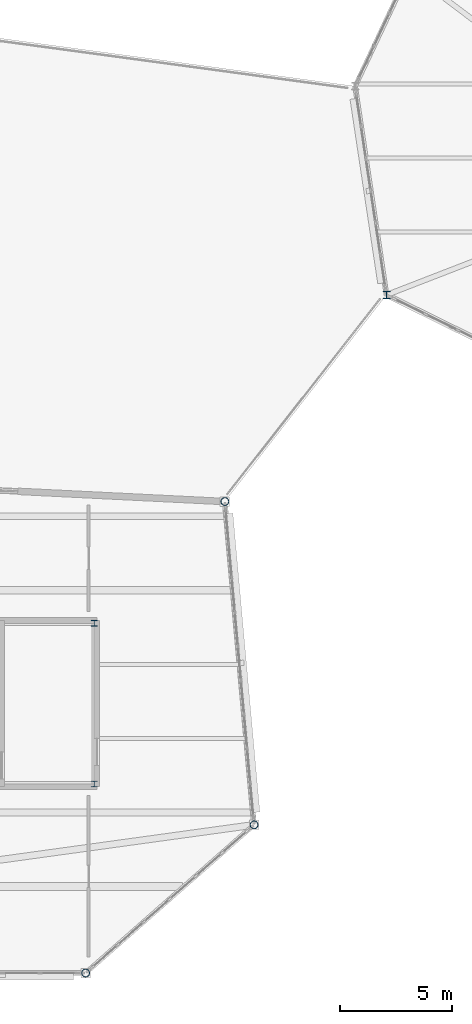
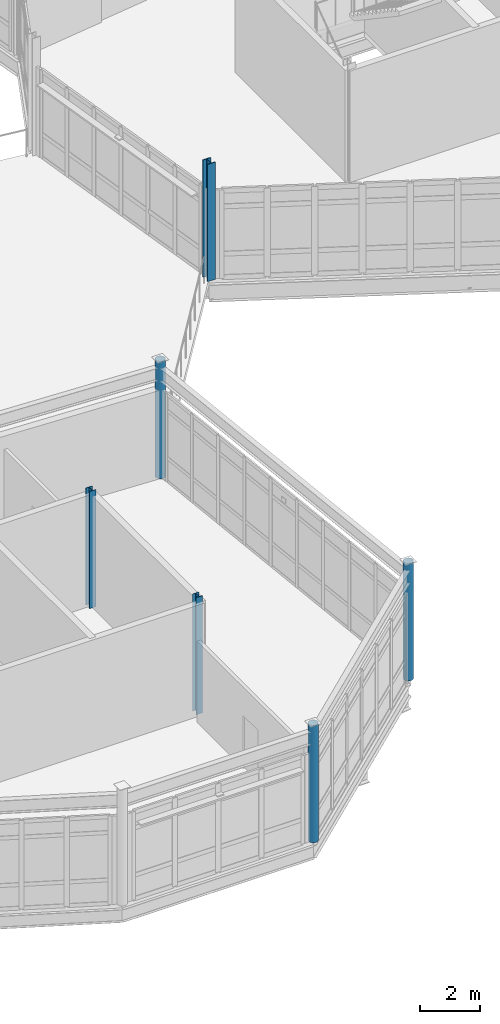
# One storey, part 3 of 114: 6 columns.
"""IFC4 building model written with IfcOpenShell, lengths in metres."""

from ifc_helpers import new_model, si_unit, direction, frame, origin, origin_2d, place, context, subcontext, project, spatial, hollow_circle, i_section, extrude, material, material_profile, profile_set, type_object, element, save


model = new_model("IFC4")

# Units and contexts
model_context = context("Model", 3, precision=1e-05, world=origin(), true_north=direction((0.0, 1.0)))
body_context = subcontext(model_context, "Body", "Model", "MODEL_VIEW")
ifc_project = project(units=[si_unit("LENGTHUNIT", "METRE"), si_unit("AREAUNIT", "SQUARE_METRE"), si_unit("VOLUMEUNIT", "CUBIC_METRE"), si_unit("PLANEANGLEUNIT", "RADIAN"), si_unit("MASSUNIT", "GRAM", prefix="KILO")], contexts=[model_context])

# Site, building, storey
site_placement = place(None, origin())
site = spatial("IfcSite", under=ifc_project, at=site_placement, CompositionType="ELEMENT")
building_placement = place(site_placement, origin())
building = spatial("IfcBuilding", under=site, at=building_placement, Name="Tameran Prism Museum", CompositionType="ELEMENT")
storey_placement = place(building_placement, frame((0.0, 0.0, 10.199951171875)))
storey = spatial("IfcBuildingStorey", under=building, at=storey_placement, Name="L02", CompositionType="ELEMENT", Elevation=10.199951171875)

# Columns
ifc_material_1 = material(Name="Steel Grade C350L0 (350 MPa)", Category="steel")
ifc_material_profile_1 = material_profile(ifc_material_1, hollow_circle(Radius=0.177734375, WallThickness=0.0126953125, at=origin_2d()))
ifc_profile_set_1 = profile_set([ifc_material_profile_1])
column_type_1 = type_object("IfcColumnType", Name="COL-CHS355", PredefinedType="COLUMN", material=ifc_profile_set_1)
for number, where, z_axis, x_axis, name in (
    (1, (37.60009765625, 0.0, 0.0), (0.0, 0.0, 1.0), (1.0, 0.0, 0.0), "Column CV-21 L02"),
    (2, (43.800048828125, 21.0, 0.0), (0.0, 0.0, 1.0), (1.0, 0.0, 0.0), "Column CV-23 L02"),
    (3, (45.10009765625, 6.60009765625, 0.0), (0.0, 0.0, 1.0), (1.0, 0.0, 0.0), "Column CV-24 L02"),
):
    element("IfcColumn", number, at=place(storey_placement, frame(where, z_axis=z_axis, x_axis=x_axis)), inside=storey, type_object=column_type_1, Name=name, PredefinedType="COLUMN", context=body_context, shape_type="SweptSolid", body=[
        extrude(hollow_circle(Radius=0.177734375, WallThickness=0.0126953125, at=origin_2d()), origin(), (0.0, 0.0, 1.0), 4.800048828125),
    ])
ifc_material_2 = material(Name="Steel Grade 300PLUS (300 MPa)", Category="steel")
ifc_material_profile_2 = material_profile(ifc_material_2, i_section(OverallWidth=0.25390625, OverallDepth=0.25390625, WebThickness=0.008544921875, FlangeThickness=0.01416015625, FilletRadius=0.0126953125, at=origin_2d()))
ifc_profile_set_2 = profile_set([ifc_material_profile_2])
column_type_2 = type_object("IfcColumnType", Name="COL-UC250B", PredefinedType="COLUMN", material=ifc_profile_set_2)
for number, where, z_axis, x_axis, name in (
    (4, (37.97998046875, 8.419921875, 0.0), (0.0, 0.0, 1.0), (1.0, 0.0, 0.0), "Column CC-6-2 L02"),
    (5, (37.97998046875, 15.580078125, 0.0), (0.0, 0.0, 1.0), (1.0, 0.0, 0.0), "Column CC-6-3 L02"),
):
    element("IfcColumn", number, at=place(storey_placement, frame(where, z_axis=z_axis, x_axis=x_axis)), inside=storey, type_object=column_type_2, Name=name, PredefinedType="COLUMN", context=body_context, shape_type="SweptSolid", body=[
        extrude(i_section(OverallWidth=0.25390625, OverallDepth=0.25390625, WebThickness=0.008544921875, FlangeThickness=0.01416015625, FilletRadius=0.0126953125, at=origin_2d()), origin(), (0.0, 0.0, 1.0), 4.800048828125),
    ])
ifc_material_3 = material(Name="Steel Grade 350 (350 MPa)", Category="steel")
ifc_material_profile_3 = material_profile(ifc_material_3, i_section(OverallWidth=0.31103515625, OverallDepth=0.326904296875, WebThickness=0.015625, FlangeThickness=0.02490234375, FilletRadius=0.0166015625, at=origin_2d()))
ifc_profile_set_3 = profile_set([ifc_material_profile_3])
column_type_3 = type_object("IfcColumnType", Name="COL-UC310A", PredefinedType="COLUMN", material=ifc_profile_set_3)
column_placement = place(storey_placement, frame((51.0, 30.199951171875, 0.0), z_axis=(0.0, 0.0, 1.0), x_axis=(1.0, 0.0, 0.0)))
element("IfcColumn", 6, at=column_placement, inside=storey, type_object=column_type_3, Name="Column CV-27 L02", PredefinedType="COLUMN", context=body_context, shape_type="SweptSolid", body=[
    extrude(i_section(OverallWidth=0.31103515625, OverallDepth=0.326904296875, WebThickness=0.015625, FlangeThickness=0.02490234375, FilletRadius=0.0166015625, at=origin_2d()), origin(), (0.0, 0.0, 1.0), 4.800048828125),
])

save(model, "model.ifc")
